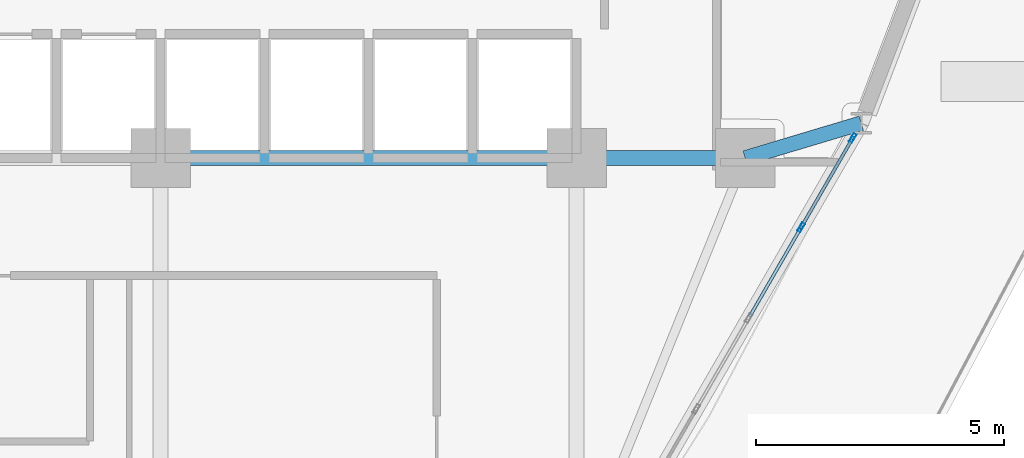
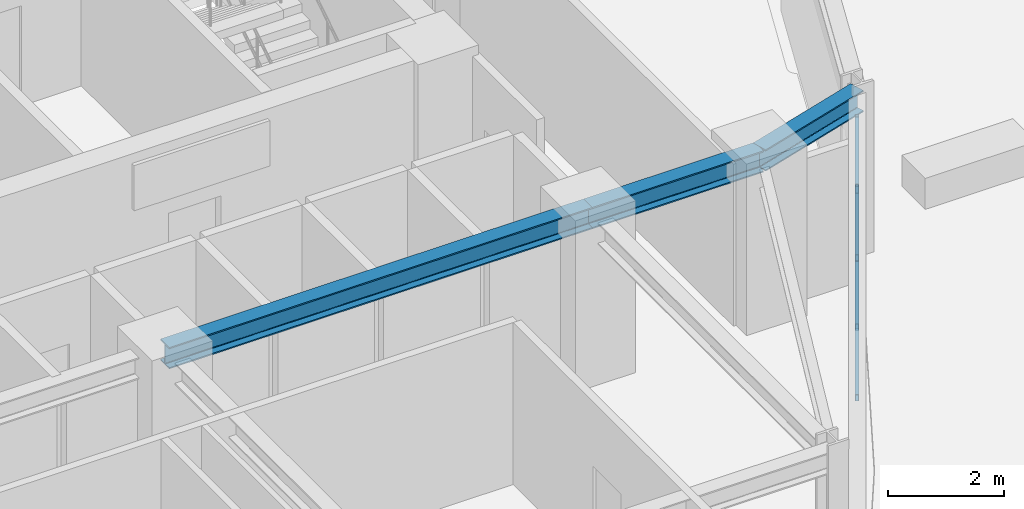
# One storey, part 8 of 18: 7 members, 3 beams, 1 element without a shape of its own.
"""IFC4 building model written with IfcOpenShell, lengths in metres."""

from ifc_helpers import new_model, si_unit, derived_unit, direction, frame, origin, origin_2d, place, context, subcontext, project, spatial, hollow_rectangle, i_section, extrude, source, transform, mapped, material, layer, layer_set, material_profile, profile_set, type_object, element, aggregate, save


model = new_model("IFC4")

# Units and contexts
model_context = context("Model", 3, precision=1e-05, world=origin(), true_north=direction((0.0, 1.0)))
body_context = subcontext(model_context, "Body", "Model", "MODEL_VIEW")
ifc_project = project(units=[si_unit("LENGTHUNIT", "METRE"), si_unit("AREAUNIT", "SQUARE_METRE"), si_unit("VOLUMEUNIT", "CUBIC_METRE"), si_unit("PLANEANGLEUNIT", "RADIAN"), si_unit("MASSUNIT", "GRAM", prefix="KILO"), derived_unit("THERMALTRANSMITTANCEUNIT", [(si_unit("POWERUNIT", "WATT"), 1), (si_unit("LENGTHUNIT", "METRE"), -2), (si_unit("THERMODYNAMICTEMPERATUREUNIT", "KELVIN"), -1)])], contexts=[model_context])

# Site, building, storey
site_placement = place(None, origin())
site = spatial("IfcSite", under=ifc_project, at=site_placement, CompositionType="ELEMENT")
building_placement = place(site_placement, origin())
building = spatial("IfcBuilding", under=site, at=building_placement, Name="Korsvarv Bourse and Concert Hall", CompositionType="ELEMENT")
storey_placement = place(building_placement, frame((0.0, 0.0, 136.199951171875)))
storey = spatial("IfcBuildingStorey", under=building, at=storey_placement, Name="L34", CompositionType="ELEMENT", Elevation=136.199951171875)

# Beams
ifc_material_1 = material(Name="Steel S355", Category="steel")
ifc_material_profile_1 = material_profile(ifc_material_1, i_section(OverallWidth=0.300048828125, OverallDepth=0.449951171875, WebThickness=0.013916015625, FlangeThickness=0.02587890625, FilletRadius=0.02099609375, at=origin_2d()), Name="HEB 450")
ifc_profile_set_1 = profile_set([ifc_material_profile_1], Name="Steel S355")
beam_type = type_object("IfcBeamType", Name="BM-HEB450", PredefinedType="SPANDREL", material=ifc_profile_set_1)
shared_shape_1 = source(origin(), body_context, "Body", "SweptSolid", [
    extrude(i_section(OverallWidth=0.300048828125, OverallDepth=0.449951171875, WebThickness=0.013916015625, FlangeThickness=0.02587890625, FilletRadius=0.02099609375, at=origin_2d()), origin(), (0.0, 0.0, 1.0), 3.400146484375),
])
beam_1_placement = place(storey_placement, frame((44.39990234375, 32.39990234375, 3.175048828125), z_axis=(1.0, 0.0, 0.0), x_axis=(0.0, 1.0, 0.0)))
element("IfcBeam", 1, at=beam_1_placement, inside=storey, type_object=beam_type, Name="L34 beam B-08", PredefinedType="SPANDREL", context=body_context, shape_type="MappedRepresentation", body=[
    mapped(shared_shape_1, transform((0.0, 0.0, 0.0), scale=1.0)),
])
shared_shape_2 = source(origin(), body_context, "Body", "SweptSolid", [
    extrude(i_section(OverallWidth=0.300048828125, OverallDepth=0.449951171875, WebThickness=0.013916015625, FlangeThickness=0.02587890625, FilletRadius=0.02099609375, at=origin_2d()), origin(), (0.0, 0.0, 1.0), 8.39990234375),
])
beam_2_placement = place(storey_placement, frame((36.0, 32.39990234375, 3.175048828125), z_axis=(1.0, 0.0, 0.0), x_axis=(0.0, 1.0, 0.0)))
element("IfcBeam", 2, at=beam_2_placement, inside=storey, type_object=beam_type, Name="L34 beam B-08", PredefinedType="SPANDREL", context=body_context, shape_type="MappedRepresentation", body=[
    mapped(shared_shape_2, transform((0.0, 0.0, 0.0), scale=1.0)),
])
shared_shape_3 = source(origin(), body_context, "Body", "SweptSolid", [
    extrude(i_section(OverallWidth=0.300048828125, OverallDepth=0.449951171875, WebThickness=0.013916015625, FlangeThickness=0.02587890625, FilletRadius=0.02099609375, at=origin_2d()), origin(), (0.0, 0.0, 1.0), 2.448974609375),
])
beam_3_placement = place(storey_placement, frame((50.14599609375, 33.1025390625, 3.175048828125), z_axis=(-0.957955150116, -0.286917985434, 0.0), x_axis=(0.286917985434, -0.957955150116, 0.0)))
element("IfcBeam", 3, at=beam_3_placement, inside=storey, type_object=beam_type, Name="L34 beam B-08", PredefinedType="SPANDREL", context=body_context, shape_type="MappedRepresentation", body=[
    mapped(shared_shape_3, transform((0.0, 0.0, 0.0), scale=1.0)),
])

# Curtain wall, members
ifc_material_2 = material(Name="Anodised aluminium and triple low-E glazing", Category="glass")
ifc_layer = layer(ifc_material_2, 0.2099609375)
ifc_layer_set = layer_set([ifc_layer], Name="Anodised aluminium and triple low-E glazing")
curtain_wall_type = type_object("IfcCurtainWallType", Name="CW-SYS-2", PredefinedType="NOTDEFINED", material=ifc_layer_set)
curtain_wall_placement = place(storey_placement, origin())
curtain_wall = element("IfcCurtainWall", 4, at=curtain_wall_placement, inside=storey, type_object=curtain_wall_type, Name="L34 CW2 curtain wall CW-L34-F11", PredefinedType="NOTDEFINED")
ifc_material_3 = material(Name="Extruded aluminium EN AW-6063 T66", Category="aluminium")
ifc_material_profile_2 = material_profile(ifc_material_3, hollow_rectangle(XDim=0.070068359375, YDim=0.18994140625, WallThickness=0.0048828125, at=origin_2d()), Name="ALU-M 70x190")
ifc_profile_set_2 = profile_set([ifc_material_profile_2], Name="Extruded aluminium EN AW-6063 T66")
member_type_1 = type_object("IfcMemberType", Name="CWM-190", PredefinedType="MULLION", material=ifc_profile_set_2)
shared_shape_4 = source(origin(), body_context, "Body", "SweptSolid", [
    extrude(hollow_rectangle(XDim=0.070068359375, YDim=0.18994140625, WallThickness=0.0048828125, at=origin_2d()), origin(), (0.0, 0.0, 1.0), 3.0),
])
member_1_placement = place(storey_placement, frame((48.9326171875, 31.00048828125, 0.0), z_axis=(0.0, 0.0, 1.0), x_axis=(-0.866025213439, 0.500000329688, 0.0)))
member_1 = element("IfcMember", 5, at=member_1_placement, type_object=member_type_1, Name="CW2 mullion 6", PredefinedType="MULLION", context=body_context, shape_type="MappedRepresentation", body=[
    mapped(shared_shape_4, transform((0.0, 0.0, 0.0), scale=1.0)),
])
member_2_placement = place(storey_placement, frame((49.97412109375, 32.8046875, 0.0), z_axis=(0.0, 0.0, 1.0), x_axis=(-0.866025213439, 0.500000329688, 0.0)))
member_2 = element("IfcMember", 6, at=member_2_placement, type_object=member_type_1, Name="CW2 mullion 7", PredefinedType="MULLION", context=body_context, shape_type="MappedRepresentation", body=[
    mapped(shared_shape_4, transform((0.0, 0.0, 0.0), scale=1.0)),
])
ifc_material_profile_3 = material_profile(ifc_material_3, hollow_rectangle(XDim=0.06494140625, YDim=0.139892578125, WallThickness=0.00390625, at=origin_2d()), Name="ALU-T 65x140")
ifc_profile_set_3 = profile_set([ifc_material_profile_3], Name="Extruded aluminium EN AW-6063 T66")
member_type_2 = type_object("IfcMemberType", Name="CWT-140", PredefinedType="USERDEFINED", material=ifc_profile_set_3)
shared_shape_5 = source(origin(), body_context, "Body", "SweptSolid", [
    extrude(hollow_rectangle(XDim=0.06494140625, YDim=0.139892578125, WallThickness=0.00390625, at=origin_2d()), origin(), (0.0, 0.0, 1.0), 2.013427734375),
])
member_3_placement = place(storey_placement, frame((48.949951171875, 31.03076171875, 0.032470703125), z_axis=(0.500051323872, 0.865995769906, 0.0), x_axis=(-0.865995769906, 0.500051323872, 0.0)))
member_3 = element("IfcMember", 7, at=member_3_placement, type_object=member_type_2, Name="CW2 transom 6.1", ObjectType="TRANSOM", PredefinedType="USERDEFINED", context=body_context, shape_type="MappedRepresentation", body=[
    mapped(shared_shape_5, transform((0.0, 0.0, 0.0), scale=1.0)),
])
member_4_placement = place(storey_placement, frame((48.949951171875, 31.03076171875, 2.967529296875), z_axis=(0.500051323872, 0.865995769906, 0.0), x_axis=(-0.865995769906, 0.500051323872, 0.0)))
member_4 = element("IfcMember", 8, at=member_4_placement, type_object=member_type_2, Name="CW2 transom 6.2", ObjectType="TRANSOM", PredefinedType="USERDEFINED", context=body_context, shape_type="MappedRepresentation", body=[
    mapped(shared_shape_5, transform((0.0, 0.0, 0.0), scale=1.0)),
])
shared_shape_6 = source(origin(), body_context, "Body", "SweptSolid", [
    extrude(hollow_rectangle(XDim=0.06494140625, YDim=0.139892578125, WallThickness=0.00390625, at=origin_2d()), origin(), (0.0, 0.0, 1.0), 2.04833984375),
])
member_5_placement = place(storey_placement, frame((47.890869140625, 29.1962890625, 0.032470703125), z_axis=(0.499997581422, 0.866026800146, 0.0), x_axis=(-0.866026800146, 0.499997581422, 0.0)))
member_5 = element("IfcMember", 9, at=member_5_placement, type_object=member_type_2, Name="CW2 transom 5.1", ObjectType="TRANSOM", PredefinedType="USERDEFINED", context=body_context, shape_type="MappedRepresentation", body=[
    mapped(shared_shape_6, transform((0.0, 0.0, 0.0), scale=1.0)),
])
member_6_placement = place(storey_placement, frame((47.890869140625, 29.1962890625, 2.967529296875), z_axis=(0.499997581422, 0.866026800146, 0.0), x_axis=(-0.866026800146, 0.499997581422, 0.0)))
member_6 = element("IfcMember", 10, at=member_6_placement, type_object=member_type_2, Name="CW2 transom 5.2", ObjectType="TRANSOM", PredefinedType="USERDEFINED", context=body_context, shape_type="MappedRepresentation", body=[
    mapped(shared_shape_6, transform((0.0, 0.0, 0.0), scale=1.0)),
])
ifc_material_profile_4 = material_profile(ifc_material_3, hollow_rectangle(XDim=0.06494140625, YDim=0.1650390625, WallThickness=0.0048828125, at=origin_2d()), Name="ALU-M 65x165")
ifc_profile_set_4 = profile_set([ifc_material_profile_4], Name="Extruded aluminium EN AW-6063 T66")
member_type_3 = type_object("IfcMemberType", Name="CWM-165", PredefinedType="MULLION", material=ifc_profile_set_4)
shared_shape_7 = source(origin(), body_context, "Body", "SweptSolid", [
    extrude(hollow_rectangle(XDim=0.06494140625, YDim=0.1650390625, WallThickness=0.0048828125, at=origin_2d()), origin(), (0.0, 0.0, 1.0), 3.505859375),
])
member_7_placement = place(storey_placement, frame((49.956787109375, 32.7744140625, 0.06494140625), z_axis=(-0.287180031175, -0.49734233333, 0.818644143185), x_axis=(0.865995769906, -0.500051323872, 0.0)))
member_7 = element("IfcMember", 11, at=member_7_placement, type_object=member_type_3, Name="CW2 diagonal mullion 6", PredefinedType="MULLION", context=body_context, shape_type="MappedRepresentation", body=[
    mapped(shared_shape_7, transform((0.0, 0.0, 0.0), scale=1.0)),
])
aggregate(curtain_wall, [member_1, member_2, member_5, member_6, member_3, member_4, member_7])

save(model, "model.ifc")
